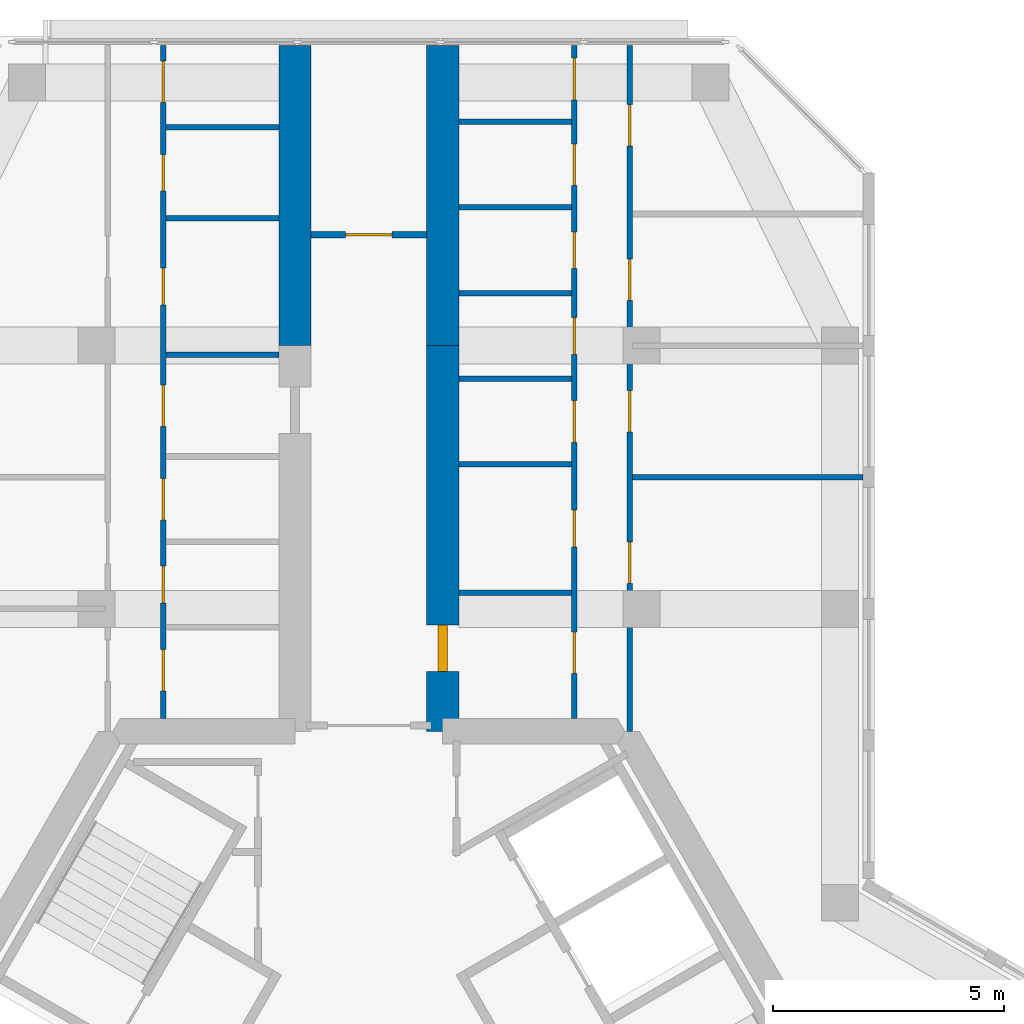
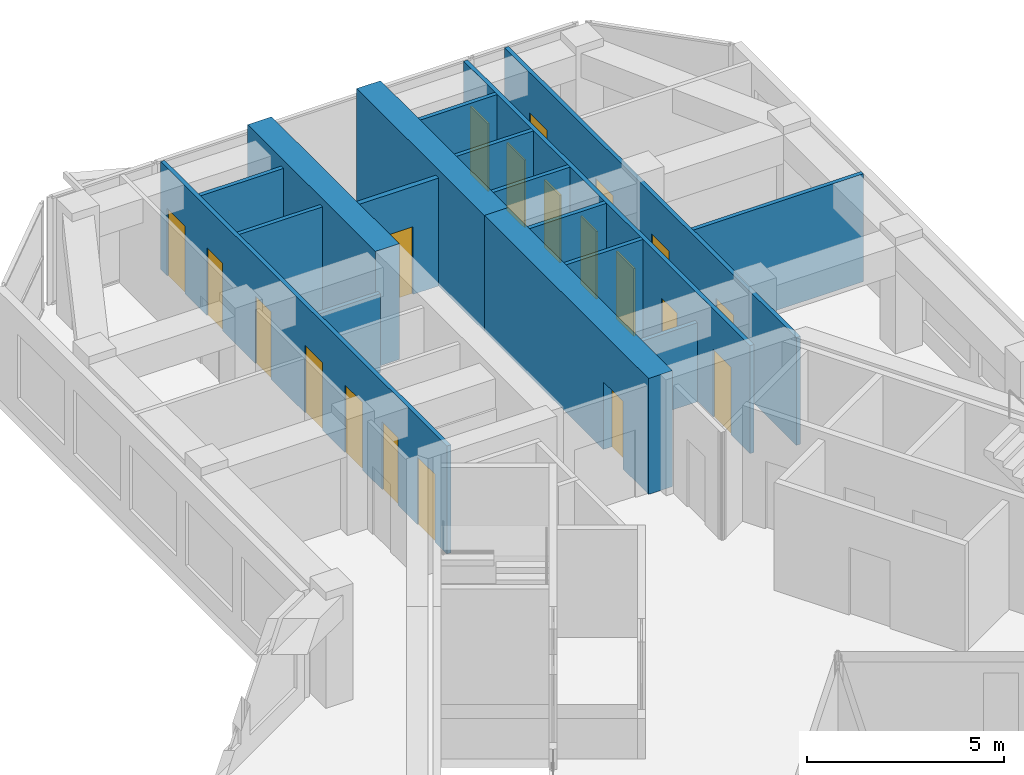
# One storey, part 12 of 14: 20 doors, 17 walls, 20 openings.
"""IFC4 building model written with IfcOpenShell, lengths in metres."""

from ifc_helpers import new_model, si_unit, direction, frame, frame_2d, origin, place, context, subcontext, project, spatial, rectangle, extrude, material, layer, layer_set, type_object, element, fill, save


model = new_model("IFC4")

# Units and contexts
model_context = context("Model", 3, precision=1e-05, world=origin(), true_north=direction((0.0, 1.0)))
body_context = subcontext(model_context, "Body", "Model", "MODEL_VIEW")
ifc_project = project(units=[si_unit("LENGTHUNIT", "METRE"), si_unit("AREAUNIT", "SQUARE_METRE"), si_unit("VOLUMEUNIT", "CUBIC_METRE"), si_unit("PLANEANGLEUNIT", "RADIAN"), si_unit("MASSUNIT", "GRAM", prefix="KILO")], contexts=[model_context])

# Site, building, storey
site_placement = place(None, origin())
site = spatial("IfcSite", under=ifc_project, at=site_placement, CompositionType="ELEMENT")
building_placement = place(site_placement, origin())
building = spatial("IfcBuilding", under=site, at=building_placement, Name="Kosmar Iwan School Tower", CompositionType="ELEMENT")
storey_placement = place(building_placement, frame((0.0, 0.0, 278.199951171875)))
storey = spatial("IfcBuildingStorey", under=building, at=storey_placement, Name="L70", CompositionType="ELEMENT", Elevation=278.199951171875)

# Wall
ifc_material_1 = material(Name="Concrete C50/60", Category="concrete")
ifc_layer_1 = layer(ifc_material_1, 0.699951171875)
ifc_layer_set_1 = layer_set([ifc_layer_1], Name="Corridor buttress wall 700")
wall_type_1 = type_object("IfcWallType", Name="Corridor buttress wall 700", PredefinedType="SHEAR", material=ifc_layer_set_1)
wall_1_placement = place(storey_placement, frame((-1.60009765625, 17.949951171875, 0.0), z_axis=(0.0, 0.0, 1.0), x_axis=(0.0, 1.0, 0.0)))
element("IfcWall", 1, at=wall_1_placement, inside=storey, type_object=wall_type_1, Name="Corridor wall AL bay 2", PredefinedType="SHEAR", context=body_context, shape_type="SweptSolid", body=[
    extrude(rectangle(XDim=6.4951171875, YDim=0.699951171875, at=frame_2d((3.24755859375, 0.0))), origin(), (0.0, 0.0, 1.0), 3.60009765625),
])

# Wall, opening, door
wall_2_placement = place(storey_placement, frame((1.60009765625, 9.60009765625, 0.0), z_axis=(0.0, 0.0, 1.0), x_axis=(0.0, 1.0, 0.0)))
wall_2 = element("IfcWall", 2, at=wall_2_placement, inside=storey, type_object=wall_type_1, Name="Corridor wall AR", PredefinedType="SHEAR", context=body_context, shape_type="SweptSolid", body=[
    extrude(rectangle(XDim=8.349853515625, YDim=0.699951171875, at=frame_2d((4.1748046875, 0.0))), origin(), (0.0, 0.0, 1.0), 3.60009765625),
])
opening_1_placement = place(wall_2_placement, frame((1.300048828125, 0.0, 0.0)))
opening_1 = element("IfcOpeningElement", 3, at=opening_1_placement, cuts=wall_2, Name="Opening D1", PredefinedType="OPENING", context=body_context, shape_type="SweptSolid", body=[
    extrude(rectangle(XDim=1.0, YDim=2.10009765625, at=frame_2d((0.5, 1.050048828125))), frame((0.0, 0.362060546875, 0.0), z_axis=(0.0, -1.0, 0.0), x_axis=(1.0, 0.0, 0.0)), (0.0, 0.0, 1.0), 0.723876953125),
])
ifc_material_2 = material(Name="Timber fire door in steel frame", Category="steel")
door_type_1 = type_object("IfcDoorType", Name="Flat entrance door 1000x2100", OperationType="SINGLE_SWING_LEFT", PredefinedType="DOOR", material=ifc_material_2)
door_1_placement = place(opening_1_placement, origin())
door_1 = element("IfcDoor", 4, at=door_1_placement, inside=storey, type_object=door_type_1, Name="Flat L70-AR1 entrance door", OperationType="SINGLE_SWING_LEFT", OverallHeight=2.10009765625, OverallWidth=1.0, PredefinedType="DOOR", context=body_context, shape_type="SweptSolid", body=[
    extrude(rectangle(XDim=1.0, YDim=2.10009765625, at=frame_2d((0.5, 1.050048828125))), frame((0.0, 0.10009765625, 0.0), z_axis=(0.0, -1.0, 0.0), x_axis=(1.0, 0.0, 0.0)), (0.0, 0.0, 1.0), 0.199951171875),
])
fill(opening_1, door_1)

# Wall
wall_3_placement = place(storey_placement, frame((1.60009765625, 17.949951171875, 0.0), z_axis=(0.0, 0.0, 1.0), x_axis=(0.0, 1.0, 0.0)))
element("IfcWall", 5, at=wall_3_placement, inside=storey, type_object=wall_type_1, Name="Corridor wall AR bay 2", PredefinedType="SHEAR", context=body_context, shape_type="SweptSolid", body=[
    extrude(rectangle(XDim=6.4951171875, YDim=0.699951171875, at=frame_2d((3.24755859375, 0.0))), origin(), (0.0, 0.0, 1.0), 3.60009765625),
])

# Wall, opening, door
ifc_material_3 = material(Name="Gypsum board on steel studs, fire-rated", Category="steel")
ifc_layer_2 = layer(ifc_material_3, 0.14990234375)
ifc_layer_set_2 = layer_set([ifc_layer_2], Name="Corridor end wall 150")
wall_type_2 = type_object("IfcWallType", Name="Corridor end wall 150", PredefinedType="PARTITIONING", material=ifc_layer_set_2)
wall_4_placement = place(storey_placement, frame((1.25, 20.35009765625, 0.0), z_axis=(0.0, 0.0, 1.0), x_axis=(-1.0, 0.0, 0.0)))
wall_4 = element("IfcWall", 6, at=wall_4_placement, inside=storey, type_object=wall_type_2, Name="Partition L70-A-CE", PredefinedType="PARTITIONING", context=body_context, shape_type="SweptSolid", body=[
    extrude(rectangle(XDim=2.5, YDim=0.14990234375, at=frame_2d((1.25, 0.0))), origin(), (0.0, 0.0, 1.0), 3.35009765625),
])
opening_2_placement = place(wall_4_placement, frame((0.75, 0.0, 0.0)))
opening_2 = element("IfcOpeningElement", 7, at=opening_2_placement, cuts=wall_4, Name="Opening D13", PredefinedType="OPENING", context=body_context, shape_type="SweptSolid", body=[
    extrude(rectangle(XDim=1.0, YDim=2.10009765625, at=frame_2d((0.5, 1.050048828125))), frame((0.0, 0.0869140625, 0.0), z_axis=(0.0, -1.0, 0.0), x_axis=(1.0, 0.0, 0.0)), (0.0, 0.0, 1.0), 0.173828125),
])
ifc_material_4 = material(Name="Timber fire door with vision panel", Category="wood")
door_type_2 = type_object("IfcDoorType", Name="Corridor end door 1000x2100", OperationType="SINGLE_SWING_LEFT", PredefinedType="DOOR", material=ifc_material_4)
door_2_placement = place(opening_2_placement, origin())
door_2 = element("IfcDoor", 8, at=door_2_placement, inside=storey, type_object=door_type_2, Name="Laundry and drying room door L70-A", OperationType="SINGLE_SWING_LEFT", OverallHeight=2.10009765625, OverallWidth=1.0, PredefinedType="DOOR", context=body_context, shape_type="SweptSolid", body=[
    extrude(rectangle(XDim=1.0, YDim=2.10009765625, at=frame_2d((0.5, 1.050048828125))), frame((0.0, 0.02490234375, 0.0), z_axis=(0.0, -1.0, 0.0), x_axis=(1.0, 0.0, 0.0)), (0.0, 0.0, 1.0), 0.050048828125),
])
fill(opening_2, door_2)

# Wall, openings, doors
ifc_material_5 = material(Name="Gypsum board on steel studs", Category="steel")
ifc_layer_3 = layer(ifc_material_5, 0.1201171875)
ifc_layer_set_3 = layer_set([ifc_layer_3], Name="Dwelling partition 120")
wall_type_3 = type_object("IfcWallType", Name="Dwelling partition 120", PredefinedType="PARTITIONING", material=ifc_layer_set_3)
wall_5_placement = place(storey_placement, frame((-4.449951171875, 9.875, 0.0), z_axis=(0.0, 0.0, 1.0), x_axis=(0.0, 1.0, 0.0)))
wall_5 = element("IfcWall", 9, at=wall_5_placement, inside=storey, type_object=wall_type_3, Name="Partition L70-AL1-W1", PredefinedType="PARTITIONING", context=body_context, shape_type="SweptSolid", body=[
    extrude(rectangle(XDim=14.570068359375, YDim=0.1201171875, at=frame_2d((7.28515625, 0.0))), origin(), (0.0, 0.0, 1.0), 3.35009765625),
])
opening_3_placement = place(wall_5_placement, frame((0.60009765625, 0.0, 0.0)))
opening_3 = element("IfcOpeningElement", 10, at=opening_3_placement, cuts=wall_5, Name="Opening D2", PredefinedType="OPENING", context=body_context, shape_type="SweptSolid", body=[
    extrude(rectangle(XDim=0.89990234375, YDim=2.10009765625, at=frame_2d((0.449951171875, 1.050048828125))), frame((0.0, 0.072021484375, 0.0), z_axis=(0.0, -1.0, 0.0), x_axis=(1.0, 0.0, 0.0)), (0.0, 0.0, 1.0), 0.14404296875),
])
opening_4_placement = place(wall_5_placement, frame((2.5, 0.0, 0.0)))
opening_4 = element("IfcOpeningElement", 11, at=opening_4_placement, cuts=wall_5, Name="Opening D3", PredefinedType="OPENING", context=body_context, shape_type="SweptSolid", body=[
    extrude(rectangle(XDim=0.800048828125, YDim=2.10009765625, at=frame_2d((0.39990234375, 1.050048828125))), frame((0.0, 0.072021484375, 0.0), z_axis=(0.0, -1.0, 0.0), x_axis=(1.0, 0.0, 0.0)), (0.0, 0.0, 1.0), 0.14404296875),
])
opening_5_placement = place(wall_5_placement, frame((4.300048828125, 0.0, 0.0)))
opening_5 = element("IfcOpeningElement", 12, at=opening_5_placement, cuts=wall_5, Name="Opening D2", PredefinedType="OPENING", context=body_context, shape_type="SweptSolid", body=[
    extrude(rectangle(XDim=0.89990234375, YDim=2.10009765625, at=frame_2d((0.449951171875, 1.050048828125))), frame((0.0, 0.072021484375, 0.0), z_axis=(0.0, -1.0, 0.0), x_axis=(1.0, 0.0, 0.0)), (0.0, 0.0, 1.0), 0.14404296875),
])
opening_6_placement = place(wall_5_placement, frame((6.324951171875, 0.0, 0.0)))
opening_6 = element("IfcOpeningElement", 13, at=opening_6_placement, cuts=wall_5, Name="Opening D2", PredefinedType="OPENING", context=body_context, shape_type="SweptSolid", body=[
    extrude(rectangle(XDim=0.89990234375, YDim=2.10009765625, at=frame_2d((0.449951171875, 1.050048828125))), frame((0.0, 0.072021484375, 0.0), z_axis=(0.0, -1.0, 0.0), x_axis=(1.0, 0.0, 0.0)), (0.0, 0.0, 1.0), 0.14404296875),
])
opening_7_placement = place(wall_5_placement, frame((8.95361328125, 0.0, 0.0)))
opening_7 = element("IfcOpeningElement", 14, at=opening_7_placement, cuts=wall_5, Name="Opening D3", PredefinedType="OPENING", context=body_context, shape_type="SweptSolid", body=[
    extrude(rectangle(XDim=0.800048828125, YDim=2.10009765625, at=frame_2d((0.39990234375, 1.050048828125))), frame((0.0, 0.072021484375, 0.0), z_axis=(0.0, -1.0, 0.0), x_axis=(1.0, 0.0, 0.0)), (0.0, 0.0, 1.0), 0.14404296875),
])
opening_8_placement = place(wall_5_placement, frame((11.41796875, 0.0, 0.0)))
opening_8 = element("IfcOpeningElement", 15, at=opening_8_placement, cuts=wall_5, Name="Opening D3", PredefinedType="OPENING", context=body_context, shape_type="SweptSolid", body=[
    extrude(rectangle(XDim=0.800048828125, YDim=2.10009765625, at=frame_2d((0.39990234375, 1.050048828125))), frame((0.0, 0.072021484375, 0.0), z_axis=(0.0, -1.0, 0.0), x_axis=(1.0, 0.0, 0.0)), (0.0, 0.0, 1.0), 0.14404296875),
])
opening_9_placement = place(wall_5_placement, frame((13.33935546875, 0.0, 0.0)))
opening_9 = element("IfcOpeningElement", 16, at=opening_9_placement, cuts=wall_5, Name="Opening D2", PredefinedType="OPENING", context=body_context, shape_type="SweptSolid", body=[
    extrude(rectangle(XDim=0.89990234375, YDim=2.10009765625, at=frame_2d((0.449951171875, 1.050048828125))), frame((0.0, 0.072021484375, 0.0), z_axis=(0.0, -1.0, 0.0), x_axis=(1.0, 0.0, 0.0)), (0.0, 0.0, 1.0), 0.14404296875),
])
ifc_material_6 = material(Name="Timber door in timber frame", Category="wood")
door_type_3 = type_object("IfcDoorType", Name="Internal door 900x2100", OperationType="SINGLE_SWING_LEFT", PredefinedType="DOOR", material=ifc_material_6)
door_3_placement = place(opening_3_placement, origin())
door_3 = element("IfcDoor", 17, at=door_3_placement, inside=storey, type_object=door_type_3, Name="Dressing room door L70-AL1-S1", OperationType="SINGLE_SWING_LEFT", OverallHeight=2.10009765625, OverallWidth=0.89990234375, PredefinedType="DOOR", context=body_context, shape_type="SweptSolid", body=[
    extrude(rectangle(XDim=0.89990234375, YDim=2.10009765625, at=frame_2d((0.449951171875, 1.050048828125))), frame((0.0, 0.02490234375, 0.0), z_axis=(0.0, -1.0, 0.0), x_axis=(1.0, 0.0, 0.0)), (0.0, 0.0, 1.0), 0.050048828125),
])
fill(opening_3, door_3)
door_4_placement = place(opening_5_placement, origin())
door_4 = element("IfcDoor", 18, at=door_4_placement, inside=storey, type_object=door_type_3, Name="Pantry door L70-AL1-S3", OperationType="SINGLE_SWING_LEFT", OverallHeight=2.10009765625, OverallWidth=0.89990234375, PredefinedType="DOOR", context=body_context, shape_type="SweptSolid", body=[
    extrude(rectangle(XDim=0.89990234375, YDim=2.10009765625, at=frame_2d((0.449951171875, 1.050048828125))), frame((0.0, 0.02490234375, 0.0), z_axis=(0.0, -1.0, 0.0), x_axis=(1.0, 0.0, 0.0)), (0.0, 0.0, 1.0), 0.050048828125),
])
fill(opening_5, door_4)
door_5_placement = place(opening_6_placement, origin())
door_5 = element("IfcDoor", 19, at=door_5_placement, inside=storey, type_object=door_type_3, Name="Entrance hall door L70-AL1-S4", OperationType="SINGLE_SWING_LEFT", OverallHeight=2.10009765625, OverallWidth=0.89990234375, PredefinedType="DOOR", context=body_context, shape_type="SweptSolid", body=[
    extrude(rectangle(XDim=0.89990234375, YDim=2.10009765625, at=frame_2d((0.449951171875, 1.050048828125))), frame((0.0, 0.02490234375, 0.0), z_axis=(0.0, -1.0, 0.0), x_axis=(1.0, 0.0, 0.0)), (0.0, 0.0, 1.0), 0.050048828125),
])
fill(opening_6, door_5)
door_6_placement = place(opening_9_placement, origin())
door_6 = element("IfcDoor", 20, at=door_6_placement, inside=storey, type_object=door_type_3, Name="Utility room door L70-AL1-S7", OperationType="SINGLE_SWING_RIGHT", OverallHeight=2.10009765625, OverallWidth=0.89990234375, PredefinedType="DOOR", context=body_context, shape_type="SweptSolid", body=[
    extrude(rectangle(XDim=0.89990234375, YDim=2.10009765625, at=frame_2d((0.449951171875, 1.050048828125))), frame((0.0, 0.02490234375, 0.0), z_axis=(0.0, -1.0, 0.0), x_axis=(1.0, 0.0, 0.0)), (0.0, 0.0, 1.0), 0.050048828125),
])
fill(opening_9, door_6)
ifc_material_7 = material(Name="Timber door in timber frame", Category="wood")
door_type_4 = type_object("IfcDoorType", Name="Sanitary room door 800x2100", OperationType="SINGLE_SWING_LEFT", PredefinedType="DOOR", material=ifc_material_7)
door_7_placement = place(opening_4_placement, origin())
door_7 = element("IfcDoor", 21, at=door_7_placement, inside=storey, type_object=door_type_4, Name="Store door L70-AL1-S2", OperationType="SINGLE_SWING_LEFT", OverallHeight=2.10009765625, OverallWidth=0.800048828125, PredefinedType="DOOR", context=body_context, shape_type="SweptSolid", body=[
    extrude(rectangle(XDim=0.800048828125, YDim=2.10009765625, at=frame_2d((0.39990234375, 1.050048828125))), frame((0.0, 0.02490234375, 0.0), z_axis=(0.0, -1.0, 0.0), x_axis=(1.0, 0.0, 0.0)), (0.0, 0.0, 1.0), 0.050048828125),
])
fill(opening_4, door_7)
door_8_placement = place(opening_7_placement, origin())
door_8 = element("IfcDoor", 22, at=door_8_placement, inside=storey, type_object=door_type_4, Name="Bathroom door L70-AL1-S5", OperationType="SINGLE_SWING_RIGHT", OverallHeight=2.10009765625, OverallWidth=0.800048828125, PredefinedType="DOOR", context=body_context, shape_type="SweptSolid", body=[
    extrude(rectangle(XDim=0.800048828125, YDim=2.10009765625, at=frame_2d((0.39990234375, 1.050048828125))), frame((0.0, 0.02490234375, 0.0), z_axis=(0.0, -1.0, 0.0), x_axis=(1.0, 0.0, 0.0)), (0.0, 0.0, 1.0), 0.050048828125),
])
fill(opening_7, door_8)
door_9_placement = place(opening_8_placement, origin())
door_9 = element("IfcDoor", 23, at=door_9_placement, inside=storey, type_object=door_type_4, Name="WC door L70-AL1-S6", OperationType="SINGLE_SWING_RIGHT", OverallHeight=2.10009765625, OverallWidth=0.800048828125, PredefinedType="DOOR", context=body_context, shape_type="SweptSolid", body=[
    extrude(rectangle(XDim=0.800048828125, YDim=2.10009765625, at=frame_2d((0.39990234375, 1.050048828125))), frame((0.0, 0.02490234375, 0.0), z_axis=(0.0, -1.0, 0.0), x_axis=(1.0, 0.0, 0.0)), (0.0, 0.0, 1.0), 0.050048828125),
])
fill(opening_8, door_9)

# Walls
wall_6_placement = place(storey_placement, frame((-1.949951171875, 17.75, 0.0), z_axis=(0.0, 0.0, 1.0), x_axis=(-1.0, 0.0, 0.0)))
element("IfcWall", 24, at=wall_6_placement, inside=storey, type_object=wall_type_3, Name="Partition L70-AL1-Y4", PredefinedType="PARTITIONING", context=body_context, shape_type="SweptSolid", body=[
    extrude(rectangle(XDim=2.43994140625, YDim=0.1201171875, at=frame_2d((1.219970703125, 0.0))), origin(), (0.0, 0.0, 1.0), 2.449951171875),
])
for number, where, z_axis, x_axis, name in (
    (25, (-1.949951171875, 20.70703125, 0.0), (0.0, 0.0, 1.0), (-1.0, 0.0, 0.0), "Partition L70-AL1-Y5"),
    (26, (-1.949951171875, 22.678466796875, 0.0), (0.0, 0.0, 1.0), (-1.0, 0.0, 0.0), "Partition L70-AL1-Y6"),
):
    element("IfcWall", number, at=place(storey_placement, frame(where, z_axis=z_axis, x_axis=x_axis)), inside=storey, type_object=wall_type_3, Name=name, PredefinedType="PARTITIONING", context=body_context, shape_type="SweptSolid", body=[
        extrude(rectangle(XDim=2.43994140625, YDim=0.1201171875, at=frame_2d((1.219970703125, 0.0))), origin(), (0.0, 0.0, 1.0), 3.35009765625),
    ])

# Wall, openings, doors
wall_7_placement = place(storey_placement, frame((4.449951171875, 9.875, 0.0), z_axis=(0.0, 0.0, 1.0), x_axis=(0.0, 1.0, 0.0)))
wall_7 = element("IfcWall", 27, at=wall_7_placement, inside=storey, type_object=wall_type_3, Name="Partition L70-AR1-W1", PredefinedType="PARTITIONING", context=body_context, shape_type="SweptSolid", body=[
    extrude(rectangle(XDim=14.570068359375, YDim=0.1201171875, at=frame_2d((7.28515625, 0.0))), origin(), (0.0, 0.0, 1.0), 3.35009765625),
])
opening_10_placement = place(wall_7_placement, frame((0.97509765625, 0.0, 0.0)))
opening_10 = element("IfcOpeningElement", 28, at=opening_10_placement, cuts=wall_7, Name="Opening D2", PredefinedType="OPENING", context=body_context, shape_type="SweptSolid", body=[
    extrude(rectangle(XDim=0.89990234375, YDim=2.10009765625, at=frame_2d((0.449951171875, 1.050048828125))), frame((0.0, 0.072021484375, 0.0), z_axis=(0.0, -1.0, 0.0), x_axis=(1.0, 0.0, 0.0)), (0.0, 0.0, 1.0), 0.14404296875),
])
opening_11_placement = place(wall_7_placement, frame((3.71533203125, 0.0, 0.0)))
opening_11 = element("IfcOpeningElement", 29, at=opening_11_placement, cuts=wall_7, Name="Opening D3", PredefinedType="OPENING", context=body_context, shape_type="SweptSolid", body=[
    extrude(rectangle(XDim=0.800048828125, YDim=2.10009765625, at=frame_2d((0.39990234375, 1.050048828125))), frame((0.0, 0.072021484375, 0.0), z_axis=(0.0, -1.0, 0.0), x_axis=(1.0, 0.0, 0.0)), (0.0, 0.0, 1.0), 0.14404296875),
])
opening_12_placement = place(wall_7_placement, frame((5.982666015625, 0.0, 0.0)))
opening_12 = element("IfcOpeningElement", 30, at=opening_12_placement, cuts=wall_7, Name="Opening D2", PredefinedType="OPENING", context=body_context, shape_type="SweptSolid", body=[
    extrude(rectangle(XDim=0.89990234375, YDim=2.10009765625, at=frame_2d((0.449951171875, 1.050048828125))), frame((0.0, 0.072021484375, 0.0), z_axis=(0.0, -1.0, 0.0), x_axis=(1.0, 0.0, 0.0)), (0.0, 0.0, 1.0), 0.14404296875),
])
opening_13_placement = place(wall_7_placement, frame((7.886474609375, 0.0, 0.0)))
opening_13 = element("IfcOpeningElement", 31, at=opening_13_placement, cuts=wall_7, Name="Opening D3", PredefinedType="OPENING", context=body_context, shape_type="SweptSolid", body=[
    extrude(rectangle(XDim=0.800048828125, YDim=2.10009765625, at=frame_2d((0.39990234375, 1.050048828125))), frame((0.0, 0.072021484375, 0.0), z_axis=(0.0, -1.0, 0.0), x_axis=(1.0, 0.0, 0.0)), (0.0, 0.0, 1.0), 0.14404296875),
])
opening_14_placement = place(wall_7_placement, frame((9.740478515625, 0.0, 0.0)))
opening_14 = element("IfcOpeningElement", 32, at=opening_14_placement, cuts=wall_7, Name="Opening D3", PredefinedType="OPENING", context=body_context, shape_type="SweptSolid", body=[
    extrude(rectangle(XDim=0.800048828125, YDim=2.10009765625, at=frame_2d((0.39990234375, 1.050048828125))), frame((0.0, 0.072021484375, 0.0), z_axis=(0.0, -1.0, 0.0), x_axis=(1.0, 0.0, 0.0)), (0.0, 0.0, 1.0), 0.14404296875),
])
opening_15_placement = place(wall_7_placement, frame((11.544189453125, 0.0, 0.0)))
opening_15 = element("IfcOpeningElement", 33, at=opening_15_placement, cuts=wall_7, Name="Opening D2", PredefinedType="OPENING", context=body_context, shape_type="SweptSolid", body=[
    extrude(rectangle(XDim=0.89990234375, YDim=2.10009765625, at=frame_2d((0.449951171875, 1.050048828125))), frame((0.0, 0.072021484375, 0.0), z_axis=(0.0, -1.0, 0.0), x_axis=(1.0, 0.0, 0.0)), (0.0, 0.0, 1.0), 0.14404296875),
])
opening_16_placement = place(wall_7_placement, frame((13.398193359375, 0.0, 0.0)))
opening_16 = element("IfcOpeningElement", 34, at=opening_16_placement, cuts=wall_7, Name="Opening D2", PredefinedType="OPENING", context=body_context, shape_type="SweptSolid", body=[
    extrude(rectangle(XDim=0.89990234375, YDim=2.10009765625, at=frame_2d((0.449951171875, 1.050048828125))), frame((0.0, 0.072021484375, 0.0), z_axis=(0.0, -1.0, 0.0), x_axis=(1.0, 0.0, 0.0)), (0.0, 0.0, 1.0), 0.14404296875),
])
door_10_placement = place(opening_10_placement, origin())
door_10 = element("IfcDoor", 35, at=door_10_placement, inside=storey, type_object=door_type_3, Name="Entrance hall door L70-AR1-S1", OperationType="SINGLE_SWING_RIGHT", OverallHeight=2.10009765625, OverallWidth=0.89990234375, PredefinedType="DOOR", context=body_context, shape_type="SweptSolid", body=[
    extrude(rectangle(XDim=0.89990234375, YDim=2.10009765625, at=frame_2d((0.449951171875, 1.050048828125))), frame((0.0, 0.02490234375, 0.0), z_axis=(0.0, -1.0, 0.0), x_axis=(1.0, 0.0, 0.0)), (0.0, 0.0, 1.0), 0.050048828125),
])
fill(opening_10, door_10)
door_11_placement = place(opening_12_placement, origin())
door_11 = element("IfcDoor", 36, at=door_11_placement, inside=storey, type_object=door_type_3, Name="Pantry door L70-AR1-S3", OperationType="SINGLE_SWING_RIGHT", OverallHeight=2.10009765625, OverallWidth=0.89990234375, PredefinedType="DOOR", context=body_context, shape_type="SweptSolid", body=[
    extrude(rectangle(XDim=0.89990234375, YDim=2.10009765625, at=frame_2d((0.449951171875, 1.050048828125))), frame((0.0, 0.02490234375, 0.0), z_axis=(0.0, -1.0, 0.0), x_axis=(1.0, 0.0, 0.0)), (0.0, 0.0, 1.0), 0.050048828125),
])
fill(opening_12, door_11)
door_12_placement = place(opening_15_placement, origin())
door_12 = element("IfcDoor", 37, at=door_12_placement, inside=storey, type_object=door_type_3, Name="Utility room door L70-AR1-S6", OperationType="SINGLE_SWING_LEFT", OverallHeight=2.10009765625, OverallWidth=0.89990234375, PredefinedType="DOOR", context=body_context, shape_type="SweptSolid", body=[
    extrude(rectangle(XDim=0.89990234375, YDim=2.10009765625, at=frame_2d((0.449951171875, 1.050048828125))), frame((0.0, 0.02490234375, 0.0), z_axis=(0.0, -1.0, 0.0), x_axis=(1.0, 0.0, 0.0)), (0.0, 0.0, 1.0), 0.050048828125),
])
fill(opening_15, door_12)
door_13_placement = place(opening_16_placement, origin())
door_13 = element("IfcDoor", 38, at=door_13_placement, inside=storey, type_object=door_type_3, Name="Dressing room door L70-AR1-S7", OperationType="SINGLE_SWING_RIGHT", OverallHeight=2.10009765625, OverallWidth=0.89990234375, PredefinedType="DOOR", context=body_context, shape_type="SweptSolid", body=[
    extrude(rectangle(XDim=0.89990234375, YDim=2.10009765625, at=frame_2d((0.449951171875, 1.050048828125))), frame((0.0, 0.02490234375, 0.0), z_axis=(0.0, -1.0, 0.0), x_axis=(1.0, 0.0, 0.0)), (0.0, 0.0, 1.0), 0.050048828125),
])
fill(opening_16, door_13)
door_14_placement = place(opening_11_placement, origin())
door_14 = element("IfcDoor", 39, at=door_14_placement, inside=storey, type_object=door_type_4, Name="Bathroom door L70-AR1-S2", OperationType="SINGLE_SWING_LEFT", OverallHeight=2.10009765625, OverallWidth=0.800048828125, PredefinedType="DOOR", context=body_context, shape_type="SweptSolid", body=[
    extrude(rectangle(XDim=0.800048828125, YDim=2.10009765625, at=frame_2d((0.39990234375, 1.050048828125))), frame((0.0, 0.02490234375, 0.0), z_axis=(0.0, -1.0, 0.0), x_axis=(1.0, 0.0, 0.0)), (0.0, 0.0, 1.0), 0.050048828125),
])
fill(opening_11, door_14)
door_15_placement = place(opening_13_placement, origin())
door_15 = element("IfcDoor", 40, at=door_15_placement, inside=storey, type_object=door_type_4, Name="WC door L70-AR1-S4", OperationType="SINGLE_SWING_LEFT", OverallHeight=2.10009765625, OverallWidth=0.800048828125, PredefinedType="DOOR", context=body_context, shape_type="SweptSolid", body=[
    extrude(rectangle(XDim=0.800048828125, YDim=2.10009765625, at=frame_2d((0.39990234375, 1.050048828125))), frame((0.0, 0.02490234375, 0.0), z_axis=(0.0, -1.0, 0.0), x_axis=(1.0, 0.0, 0.0)), (0.0, 0.0, 1.0), 0.050048828125),
])
fill(opening_13, door_15)
door_16_placement = place(opening_14_placement, origin())
door_16 = element("IfcDoor", 41, at=door_16_placement, inside=storey, type_object=door_type_4, Name="Store door L70-AR1-S5", OperationType="SINGLE_SWING_RIGHT", OverallHeight=2.10009765625, OverallWidth=0.800048828125, PredefinedType="DOOR", context=body_context, shape_type="SweptSolid", body=[
    extrude(rectangle(XDim=0.800048828125, YDim=2.10009765625, at=frame_2d((0.39990234375, 1.050048828125))), frame((0.0, 0.02490234375, 0.0), z_axis=(0.0, -1.0, 0.0), x_axis=(1.0, 0.0, 0.0)), (0.0, 0.0, 1.0), 0.050048828125),
])
fill(opening_14, door_16)

wall_8_placement = place(storey_placement, frame((5.64990234375, 9.60009765625, 0.0), z_axis=(0.0, 0.0, 1.0), x_axis=(0.0, 1.0, 0.0)))
wall_8 = element("IfcWall", 42, at=wall_8_placement, inside=storey, type_object=wall_type_3, Name="Partition L70-AR1-W2", PredefinedType="PARTITIONING", context=body_context, shape_type="SweptSolid", body=[
    extrude(rectangle(XDim=14.844970703125, YDim=0.1201171875, at=frame_2d((7.42236328125, 0.0))), origin(), (0.0, 0.0, 1.0), 3.35009765625),
])
opening_17_placement = place(wall_8_placement, frame((3.199951171875, 0.0, 0.0)))
opening_17 = element("IfcOpeningElement", 43, at=opening_17_placement, cuts=wall_8, Name="Opening D2", PredefinedType="OPENING", context=body_context, shape_type="SweptSolid", body=[
    extrude(rectangle(XDim=0.89990234375, YDim=2.10009765625, at=frame_2d((0.449951171875, 1.050048828125))), frame((0.0, 0.072021484375, 0.0), z_axis=(0.0, -1.0, 0.0), x_axis=(1.0, 0.0, 0.0)), (0.0, 0.0, 1.0), 0.14404296875),
])
opening_18_placement = place(wall_8_placement, frame((6.47509765625, 0.0, 0.0)))
opening_18 = element("IfcOpeningElement", 44, at=opening_18_placement, cuts=wall_8, Name="Opening D2", PredefinedType="OPENING", context=body_context, shape_type="SweptSolid", body=[
    extrude(rectangle(XDim=0.89990234375, YDim=2.10009765625, at=frame_2d((0.449951171875, 1.050048828125))), frame((0.0, 0.072021484375, 0.0), z_axis=(0.0, -1.0, 0.0), x_axis=(1.0, 0.0, 0.0)), (0.0, 0.0, 1.0), 0.14404296875),
])
opening_19_placement = place(wall_8_placement, frame((9.324951171875, 0.0, 0.0)))
opening_19 = element("IfcOpeningElement", 45, at=opening_19_placement, cuts=wall_8, Name="Opening D2", PredefinedType="OPENING", context=body_context, shape_type="SweptSolid", body=[
    extrude(rectangle(XDim=0.89990234375, YDim=2.10009765625, at=frame_2d((0.449951171875, 1.050048828125))), frame((0.0, 0.072021484375, 0.0), z_axis=(0.0, -1.0, 0.0), x_axis=(1.0, 0.0, 0.0)), (0.0, 0.0, 1.0), 0.14404296875),
])
opening_20_placement = place(wall_8_placement, frame((12.675048828125, 0.0, 0.0)))
opening_20 = element("IfcOpeningElement", 46, at=opening_20_placement, cuts=wall_8, Name="Opening D2", PredefinedType="OPENING", context=body_context, shape_type="SweptSolid", body=[
    extrude(rectangle(XDim=0.89990234375, YDim=2.10009765625, at=frame_2d((0.449951171875, 1.050048828125))), frame((0.0, 0.072021484375, 0.0), z_axis=(0.0, -1.0, 0.0), x_axis=(1.0, 0.0, 0.0)), (0.0, 0.0, 1.0), 0.14404296875),
])
door_17_placement = place(opening_17_placement, origin())
door_17 = element("IfcDoor", 47, at=door_17_placement, inside=storey, type_object=door_type_3, Name="Living room door L70-AR1-F1", OperationType="SINGLE_SWING_LEFT", OverallHeight=2.10009765625, OverallWidth=0.89990234375, PredefinedType="DOOR", context=body_context, shape_type="SweptSolid", body=[
    extrude(rectangle(XDim=0.89990234375, YDim=2.10009765625, at=frame_2d((0.449951171875, 1.050048828125))), frame((0.0, 0.02490234375, 0.0), z_axis=(0.0, -1.0, 0.0), x_axis=(1.0, 0.0, 0.0)), (0.0, 0.0, 1.0), 0.050048828125),
])
fill(opening_17, door_17)
door_18_placement = place(opening_18_placement, origin())
door_18 = element("IfcDoor", 48, at=door_18_placement, inside=storey, type_object=door_type_3, Name="Kitchen and dining room door L70-AR1-F2", OperationType="SINGLE_SWING_LEFT", OverallHeight=2.10009765625, OverallWidth=0.89990234375, PredefinedType="DOOR", context=body_context, shape_type="SweptSolid", body=[
    extrude(rectangle(XDim=0.89990234375, YDim=2.10009765625, at=frame_2d((0.449951171875, 1.050048828125))), frame((0.0, 0.02490234375, 0.0), z_axis=(0.0, -1.0, 0.0), x_axis=(1.0, 0.0, 0.0)), (0.0, 0.0, 1.0), 0.050048828125),
])
fill(opening_18, door_18)
door_19_placement = place(opening_19_placement, origin())
door_19 = element("IfcDoor", 49, at=door_19_placement, inside=storey, type_object=door_type_3, Name="Dining room door L70-AR1-F3", OperationType="SINGLE_SWING_RIGHT", OverallHeight=2.10009765625, OverallWidth=0.89990234375, PredefinedType="DOOR", context=body_context, shape_type="SweptSolid", body=[
    extrude(rectangle(XDim=0.89990234375, YDim=2.10009765625, at=frame_2d((0.449951171875, 1.050048828125))), frame((0.0, 0.02490234375, 0.0), z_axis=(0.0, -1.0, 0.0), x_axis=(1.0, 0.0, 0.0)), (0.0, 0.0, 1.0), 0.050048828125),
])
fill(opening_19, door_19)
door_20_placement = place(opening_20_placement, origin())
door_20 = element("IfcDoor", 50, at=door_20_placement, inside=storey, type_object=door_type_3, Name="Bedroom 1 door L70-AR1-F4", OperationType="SINGLE_SWING_RIGHT", OverallHeight=2.10009765625, OverallWidth=0.89990234375, PredefinedType="DOOR", context=body_context, shape_type="SweptSolid", body=[
    extrude(rectangle(XDim=0.89990234375, YDim=2.10009765625, at=frame_2d((0.449951171875, 1.050048828125))), frame((0.0, 0.02490234375, 0.0), z_axis=(0.0, -1.0, 0.0), x_axis=(1.0, 0.0, 0.0)), (0.0, 0.0, 1.0), 0.050048828125),
])
fill(opening_20, door_20)

# Walls
wall_9_placement = place(storey_placement, frame((5.7099609375, 15.10009765625, 0.0), z_axis=(0.0, 0.0, 1.0), x_axis=(1.0, 0.0, 0.0)))
element("IfcWall", 51, at=wall_9_placement, inside=storey, type_object=wall_type_3, Name="Partition L70-AR1-X1", PredefinedType="PARTITIONING", context=body_context, shape_type="SweptSolid", body=[
    extrude(rectangle(XDim=4.989990234375, YDim=0.1201171875, at=frame_2d((2.4951171875, 0.0))), origin(), (0.0, 0.0, 1.0), 3.35009765625),
])
wall_10_placement = place(storey_placement, frame((1.949951171875, 12.60009765625, 0.0), z_axis=(0.0, 0.0, 1.0), x_axis=(1.0, 0.0, 0.0)))
element("IfcWall", 52, at=wall_10_placement, inside=storey, type_object=wall_type_3, Name="Partition L70-AR1-Y1", PredefinedType="PARTITIONING", context=body_context, shape_type="SweptSolid", body=[
    extrude(rectangle(XDim=2.43994140625, YDim=0.1201171875, at=frame_2d((1.219970703125, 0.0))), origin(), (0.0, 0.0, 1.0), 2.449951171875),
])
for number, where, z_axis, x_axis, name in (
    (53, (1.949951171875, 15.380859375, 0.0), (0.0, 0.0, 1.0), (1.0, 0.0, 0.0), "Partition L70-AR1-Y2"),
    (54, (1.949951171875, 17.234619140625, 0.0), (0.0, 0.0, 1.0), (1.0, 0.0, 0.0), "Partition L70-AR1-Y3"),
    (55, (1.949951171875, 19.08837890625, 0.0), (0.0, 0.0, 1.0), (1.0, 0.0, 0.0), "Partition L70-AR1-Y4"),
    (56, (1.949951171875, 20.9423828125, 0.0), (0.0, 0.0, 1.0), (1.0, 0.0, 0.0), "Partition L70-AR1-Y5"),
    (57, (1.949951171875, 22.796142578125, 0.0), (0.0, 0.0, 1.0), (1.0, 0.0, 0.0), "Partition L70-AR1-Y6"),
):
    element("IfcWall", number, at=place(storey_placement, frame(where, z_axis=z_axis, x_axis=x_axis)), inside=storey, type_object=wall_type_3, Name=name, PredefinedType="PARTITIONING", context=body_context, shape_type="SweptSolid", body=[
        extrude(rectangle(XDim=2.43994140625, YDim=0.1201171875, at=frame_2d((1.219970703125, 0.0))), origin(), (0.0, 0.0, 1.0), 3.35009765625),
    ])

save(model, "model.ifc")
